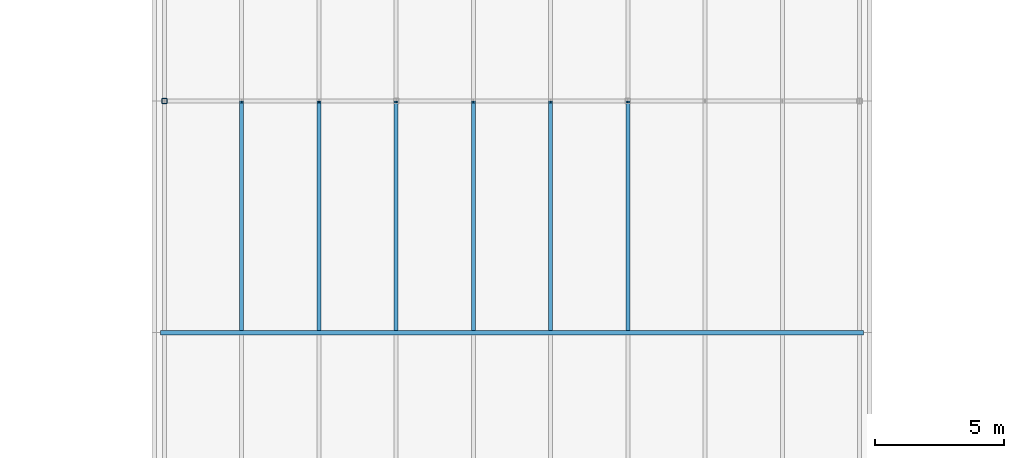
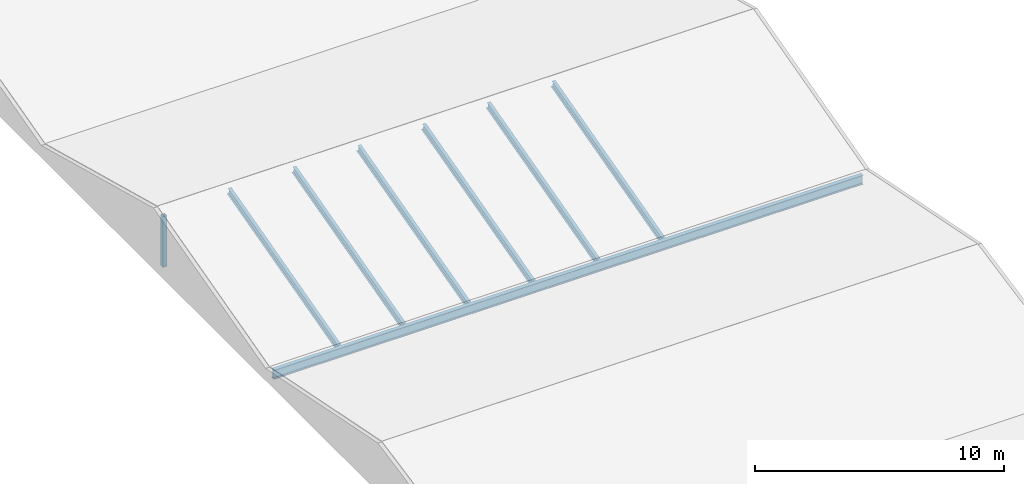
# One storey, part 7 of 29: 7 members, 1 beam.
"""IFC4 building model written with IfcOpenShell, lengths in metres."""

from ifc_helpers import new_model, si_unit, direction, frame, origin, origin_2d, place, context, subcontext, project, spatial, hollow_rectangle, i_section, extrude, material, material_profile, profile_set, type_object, element, save


model = new_model("IFC4")

# Units and contexts
model_context = context("Model", 3, precision=1e-05, world=origin(), true_north=direction((0.0, 1.0)))
body_context = subcontext(model_context, "Body", "Model", "MODEL_VIEW")
ifc_project = project(units=[si_unit("LENGTHUNIT", "METRE"), si_unit("AREAUNIT", "SQUARE_METRE"), si_unit("VOLUMEUNIT", "CUBIC_METRE"), si_unit("PLANEANGLEUNIT", "RADIAN"), si_unit("MASSUNIT", "GRAM", prefix="KILO")], contexts=[model_context])

# Site, building, storey
site_placement = place(None, origin())
site = spatial("IfcSite", under=ifc_project, at=site_placement, CompositionType="ELEMENT")
building_placement = place(site_placement, origin())
building = spatial("IfcBuilding", under=site, at=building_placement, Name="Azimuth Sports and Learning Centre", CompositionType="ELEMENT")
storey_placement = place(building_placement, frame((0.0, 0.0, 27.0)))
storey = spatial("IfcBuildingStorey", under=building, at=storey_placement, Name="L05", CompositionType="ELEMENT", Elevation=27.0)

# Beam
ifc_material_1 = material(Name="Steel S355", Category="steel")
ifc_material_profile_1 = material_profile(ifc_material_1, i_section(OverallWidth=0.18994140625, OverallDepth=0.449951171875, WebThickness=0.009521484375, FlangeThickness=0.0146484375, FilletRadius=0.02099609375, at=origin_2d()), Name="IPE 450")
ifc_profile_set_1 = profile_set([ifc_material_profile_1], Name="Steel S355")
beam_type = type_object("IfcBeamType", Name="Beam IPE 450", PredefinedType="BEAM", material=ifc_profile_set_1)
beam_placement = place(storey_placement, frame((71.85009765625, 27.0, 0.220947265625), z_axis=(1.0, 0.0, 0.0), x_axis=(0.0, 1.0, 0.0)))
element("IfcBeam", 1, at=beam_placement, inside=storey, type_object=beam_type, Name="Beam L05 RF 4", PredefinedType="BEAM", context=body_context, shape_type="SweptSolid", body=[
    extrude(i_section(OverallWidth=0.18994140625, OverallDepth=0.449951171875, WebThickness=0.009521484375, FlangeThickness=0.0146484375, FilletRadius=0.02099609375, at=origin_2d()), origin(), (0.0, 0.0, 1.0), 27.2998046875),
])

# Members
ifc_material_2 = material(Name="Steel S355", Category="steel")
ifc_material_profile_2 = material_profile(ifc_material_2, i_section(OverallWidth=0.159912109375, OverallDepth=0.330078125, WebThickness=0.007568359375, FlangeThickness=0.011474609375, FilletRadius=0.01806640625, at=origin_2d()), Name="IPE 330")
ifc_profile_set_2 = profile_set([ifc_material_profile_2], Name="Steel S355")
member_type_1 = type_object("IfcMemberType", Name="Rafter IPE 330", PredefinedType="RAFTER", material=ifc_profile_set_2)
for number, where, z_axis, x_axis, name in (
    (2, (75.0, 27.137451171875, 0.310546875), (0.0, 0.966234051779, 0.257665979872), (-1.0, 0.0, 0.0), "Rafter FOLD04 32"),
    (3, (78.0, 27.137451171875, 0.310546875), (0.0, 0.966234051779, 0.257665979872), (-1.0, 0.0, 0.0), "Rafter FOLD04 33"),
    (4, (81.0, 27.137451171875, 0.310546875), (0.0, 0.966234051779, 0.257665979872), (-1.0, 0.0, 0.0), "Rafter FOLD04 34"),
    (5, (84.0, 27.137451171875, 0.310546875), (0.0, 0.966234051779, 0.257665979872), (-1.0, 0.0, 0.0), "Rafter FOLD04 35"),
    (6, (87.0, 27.137451171875, 0.310546875), (0.0, 0.966234051779, 0.257665979872), (-1.0, 0.0, 0.0), "Rafter FOLD04 36"),
    (7, (90.0, 27.137451171875, 0.310546875), (0.0, 0.966234051779, 0.257665979872), (-1.0, 0.0, 0.0), "Rafter FOLD04 37"),
):
    element("IfcMember", number, at=place(storey_placement, frame(where, z_axis=z_axis, x_axis=x_axis)), inside=storey, type_object=member_type_1, Name=name, PredefinedType="RAFTER", context=body_context, shape_type="SweptSolid", body=[
        extrude(i_section(OverallWidth=0.159912109375, OverallDepth=0.330078125, WebThickness=0.007568359375, FlangeThickness=0.011474609375, FilletRadius=0.01806640625, at=origin_2d()), origin(), (0.0, 0.0, 1.0), 9.128173828125),
    ])
ifc_material_3 = material(Name="Steel S355", Category="steel")
ifc_material_profile_3 = material_profile(ifc_material_3, hollow_rectangle(XDim=0.199951171875, YDim=0.199951171875, WallThickness=0.010009765625, InnerFilletRadius=0.010009765625, OuterFilletRadius=0.014892578125, at=origin_2d()), Name="SHS 200x200x10.0")
ifc_profile_set_3 = profile_set([ifc_material_profile_3], Name="Steel S355")
member_type_2 = type_object("IfcMemberType", Name="Truss post SHS 200x200x10.0", PredefinedType="POST", material=ifc_profile_set_3)
member_placement = place(storey_placement, frame((72.0, 36.0, 0.0), z_axis=(0.0, 0.0, 1.0), x_axis=(1.0, 0.0, 0.0)))
element("IfcMember", 8, at=member_placement, inside=storey, type_object=member_type_2, Name="Ridge post 9E", PredefinedType="POST", context=body_context, shape_type="SweptSolid", body=[
    extrude(hollow_rectangle(XDim=0.199951171875, YDim=0.199951171875, WallThickness=0.010009765625, InnerFilletRadius=0.010009765625, OuterFilletRadius=0.014892578125, at=origin_2d()), origin(), (0.0, 0.0, 1.0), 2.48486328125),
])

save(model, "model.ifc")
